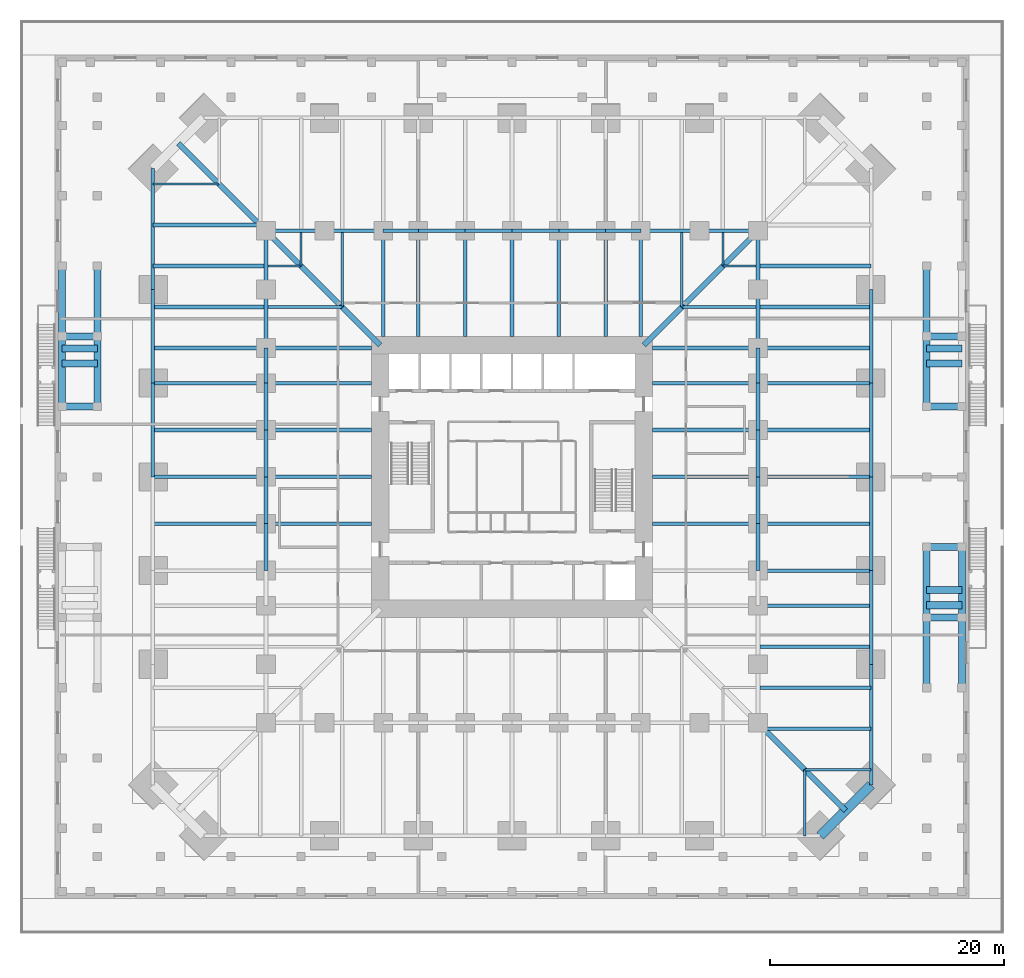
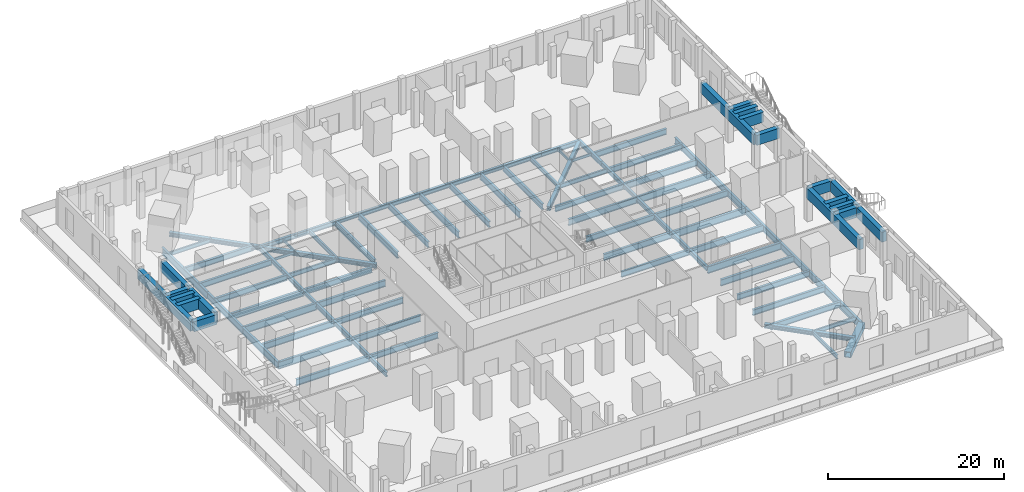
# One storey, part 9 of 22: 102 beams.
"""IFC4 building model written with IfcOpenShell, lengths in metres."""

from ifc_helpers import new_model, si_unit, direction, frame, origin, origin_2d, place, context, subcontext, project, spatial, rectangle, hollow_rectangle, i_section, extrude, material, material_profile, profile_set, type_object, element, save


model = new_model("IFC4")

# Units and contexts
model_context = context("Model", 3, precision=1e-05, world=origin(), true_north=direction((0.0, 1.0)))
body_context = subcontext(model_context, "Body", "Model", "MODEL_VIEW")
ifc_project = project(units=[si_unit("LENGTHUNIT", "METRE"), si_unit("AREAUNIT", "SQUARE_METRE"), si_unit("VOLUMEUNIT", "CUBIC_METRE"), si_unit("PLANEANGLEUNIT", "RADIAN"), si_unit("MASSUNIT", "GRAM", prefix="KILO")], contexts=[model_context])

# Site, building, storey
site_placement = place(None, origin())
site = spatial("IfcSite", under=ifc_project, at=site_placement, CompositionType="ELEMENT")
building_placement = place(site_placement, origin())
building = spatial("IfcBuilding", under=site, at=building_placement, Name="Peilmerk Tower", CompositionType="ELEMENT")
storey_placement = place(building_placement, frame((0.0, 0.0, 6.0)))
storey = spatial("IfcBuildingStorey", under=building, at=storey_placement, Name="L01", CompositionType="ELEMENT", Elevation=6.0)

# Beams
ifc_material_1 = material(Name="Steel S355", Category="steel")
ifc_material_profile_1 = material_profile(ifc_material_1, i_section(OverallWidth=0.219970703125, OverallDepth=0.60009765625, WebThickness=0.011962890625, FlangeThickness=0.01904296875, at=origin_2d()), Name="IPE 600")
ifc_profile_set_1 = profile_set([ifc_material_profile_1], Name="Steel S355")
beam_type_1 = type_object("IfcBeamType", Name="B10 IPE 600 floor beam", PredefinedType="BEAM", material=ifc_profile_set_1)
for number, where, z_axis, x_axis, name in (
    (1, (14.5, 14.5, -0.5), (0.0, 1.0, 0.0), (-1.0, 0.0, 0.0), "Floor beam L01"),
    (2, (14.5, 14.5, -0.5), (1.0, 0.0, 0.0), (0.0, 1.0, 0.0), "Floor beam L01"),
    (3, (-14.5, 14.5, -0.5), (0.0, 1.0, 0.0), (-1.0, 0.0, 0.0), "Floor beam L01"),
    (4, (-14.5, 14.5, -0.5), (-1.0, 0.0, 0.0), (0.0, -1.0, 0.0), "Floor beam L01"),
):
    element("IfcBeam", number, at=place(storey_placement, frame(where, z_axis=z_axis, x_axis=x_axis)), inside=storey, type_object=beam_type_1, Name=name, PredefinedType="BEAM", context=body_context, shape_type="SweptSolid", body=[
        extrude(i_section(OverallWidth=0.219970703125, OverallDepth=0.60009765625, WebThickness=0.011962890625, FlangeThickness=0.01904296875, at=origin_2d()), origin(), (0.0, 0.0, 1.0), 6.347412109375),
    ])
ifc_material_profile_2 = material_profile(ifc_material_1, i_section(OverallWidth=0.169921875, OverallDepth=0.360107421875, WebThickness=0.008056640625, FlangeThickness=0.0126953125, at=origin_2d()), Name="IPE 360")
ifc_profile_set_2 = profile_set([ifc_material_profile_2], Name="Steel S355")
beam_type_2 = type_object("IfcBeamType", Name="B11 IPE 360 floor beam", PredefinedType="BEAM", material=ifc_profile_set_2)
for number, where, z_axis, x_axis, name in (
    (5, (18.0, 18.0, -0.3798828125), (0.0, 1.0, 0.0), (-1.0, 0.0, 0.0), "Floor beam L01"),
    (6, (18.0, 18.0, -0.3798828125), (1.0, 0.0, 0.0), (0.0, 1.0, 0.0), "Floor beam L01"),
    (7, (-18.0, 18.0, -0.3798828125), (0.0, 1.0, 0.0), (-1.0, 0.0, 0.0), "Floor beam L01"),
    (8, (-18.0, 18.0, -0.3798828125), (-1.0, 0.0, 0.0), (0.0, -1.0, 0.0), "Floor beam L01"),
):
    element("IfcBeam", number, at=place(storey_placement, frame(where, z_axis=z_axis, x_axis=x_axis)), inside=storey, type_object=beam_type_2, Name=name, PredefinedType="BEAM", context=body_context, shape_type="SweptSolid", body=[
        extrude(i_section(OverallWidth=0.169921875, OverallDepth=0.360107421875, WebThickness=0.008056640625, FlangeThickness=0.0126953125, at=origin_2d()), origin(), (0.0, 0.0, 1.0), 2.847412109375),
    ])
ifc_material_profile_3 = material_profile(ifc_material_1, i_section(OverallWidth=0.2099609375, OverallDepth=0.550048828125, WebThickness=0.010986328125, FlangeThickness=0.01708984375, at=origin_2d()), Name="IPE 550")
ifc_profile_set_3 = profile_set([ifc_material_profile_3], Name="Steel S355")
beam_type_3 = type_object("IfcBeamType", Name="B12 IPE 550 floor beam", PredefinedType="BEAM", material=ifc_profile_set_3)
for number, where, z_axis, x_axis, name in (
    (9, (25.0, -25.0, -0.47509765625), (0.0, -1.0, 0.0), (1.0, 0.0, 0.0), "Floor beam L01"),
    (10, (25.0, -25.0, -0.47509765625), (1.0, 0.0, 0.0), (0.0, 1.0, 0.0), "Floor beam L01"),
    (11, (-25.0, 25.0, -0.47509765625), (-1.0, 0.0, 0.0), (0.0, -1.0, 0.0), "Floor beam L01"),
):
    element("IfcBeam", number, at=place(storey_placement, frame(where, z_axis=z_axis, x_axis=x_axis)), inside=storey, type_object=beam_type_3, Name=name, PredefinedType="BEAM", context=body_context, shape_type="SweptSolid", body=[
        extrude(i_section(OverallWidth=0.2099609375, OverallDepth=0.550048828125, WebThickness=0.010986328125, FlangeThickness=0.01708984375, at=origin_2d()), origin(), (0.0, 0.0, 1.0), 5.65478515625),
    ])
ifc_material_profile_4 = material_profile(ifc_material_1, i_section(OverallWidth=0.300048828125, OverallDepth=1.0, WebThickness=0.01904296875, FlangeThickness=0.035888671875, at=origin_2d()), Name="HEB 1000")
ifc_profile_set_4 = profile_set([ifc_material_profile_4], Name="Steel S355")
beam_type_4 = type_object("IfcBeamType", Name="B13 HEB 1000 edge beam", PredefinedType="SPANDREL", material=ifc_profile_set_4)
for number, where, z_axis, x_axis, name in (
    (12, (30.65478515625, -26.304931640625, -0.699951171875), (0.0, 1.0, 0.0), (-1.0, 0.0, 0.0), "Edge beam L01"),
    (13, (-30.65478515625, 26.304931640625, -0.699951171875), (0.0, -1.0, 0.0), (1.0, 0.0, 0.0), "Edge beam L01"),
):
    element("IfcBeam", number, at=place(storey_placement, frame(where, z_axis=z_axis, x_axis=x_axis)), inside=storey, type_object=beam_type_4, Name=name, PredefinedType="SPANDREL", context=body_context, shape_type="SweptSolid", body=[
        extrude(i_section(OverallWidth=0.300048828125, OverallDepth=1.0, WebThickness=0.01904296875, FlangeThickness=0.035888671875, at=origin_2d()), origin(), (0.0, 0.0, 1.0), 10.304931640625),
    ])
ifc_material_profile_5 = material_profile(ifc_material_1, i_section(OverallWidth=0.300048828125, OverallDepth=0.989990234375, WebThickness=0.0166015625, FlangeThickness=0.031005859375, at=origin_2d()), Name="HEA 1000")
ifc_profile_set_5 = profile_set([ifc_material_profile_5], Name="Steel S355")
beam_type_5 = type_object("IfcBeamType", Name="B14 HEA 1000 floor girder", PredefinedType="BEAM", material=ifc_profile_set_5)
for number, where, z_axis, x_axis, name in (
    (14, (21.0, -8.0, -0.695068359375), (1.0, 0.0, 0.0), (0.0, 1.0, 0.0), "Floor girder L01"),
    (15, (21.0, 0.0, -0.695068359375), (1.0, 0.0, 0.0), (0.0, 1.0, 0.0), "Floor girder L01"),
    (16, (21.0, 8.0, -0.695068359375), (1.0, 0.0, 0.0), (0.0, 1.0, 0.0), "Floor girder L01"),
    (17, (-21.0, 8.0, -0.695068359375), (-1.0, 0.0, 0.0), (0.0, -1.0, 0.0), "Floor girder L01"),
    (18, (-21.0, 0.0, -0.695068359375), (-1.0, 0.0, 0.0), (0.0, -1.0, 0.0), "Floor girder L01"),
):
    element("IfcBeam", number, at=place(storey_placement, frame(where, z_axis=z_axis, x_axis=x_axis)), inside=storey, type_object=beam_type_5, Name=name, PredefinedType="BEAM", context=body_context, shape_type="SweptSolid", body=[
        extrude(i_section(OverallWidth=0.300048828125, OverallDepth=0.989990234375, WebThickness=0.0166015625, FlangeThickness=0.031005859375, at=origin_2d()), origin(), (0.0, 0.0, 1.0), 9.65478515625),
    ])
ifc_material_profile_6 = material_profile(ifc_material_1, i_section(OverallWidth=0.302001953125, OverallDepth=0.909912109375, WebThickness=0.02099609375, FlangeThickness=0.0400390625, at=origin_2d()), Name="HEM 900")
ifc_profile_set_6 = profile_set([ifc_material_profile_6], Name="Steel S355")
beam_type_6 = type_object("IfcBeamType", Name="B2 HEM 900 edge beam", PredefinedType="SPANDREL", material=ifc_profile_set_6)
for number, where, z_axis, x_axis, name in (
    (19, (30.65478515625, -16.0, -0.655029296875), (0.0, 1.0, 0.0), (-1.0, 0.0, 0.0), "Edge beam L01"),
    (20, (30.65478515625, -8.0, -0.655029296875), (0.0, 1.0, 0.0), (-1.0, 0.0, 0.0), "Edge beam L01"),
    (21, (30.65478515625, 0.0, -0.655029296875), (0.0, 1.0, 0.0), (-1.0, 0.0, 0.0), "Edge beam L01"),
    (22, (30.65478515625, 8.0, -0.655029296875), (0.0, 1.0, 0.0), (-1.0, 0.0, 0.0), "Edge beam L01"),
    (23, (-30.65478515625, 16.0, -0.655029296875), (0.0, -1.0, 0.0), (1.0, 0.0, 0.0), "Edge beam L01"),
    (24, (-30.65478515625, 8.0, -0.655029296875), (0.0, -1.0, 0.0), (1.0, 0.0, 0.0), "Edge beam L01"),
):
    element("IfcBeam", number, at=place(storey_placement, frame(where, z_axis=z_axis, x_axis=x_axis)), inside=storey, type_object=beam_type_6, Name=name, PredefinedType="SPANDREL", context=body_context, shape_type="SweptSolid", body=[
        extrude(i_section(OverallWidth=0.302001953125, OverallDepth=0.909912109375, WebThickness=0.02099609375, FlangeThickness=0.0400390625, at=origin_2d()), origin(), (0.0, 0.0, 1.0), 8.0),
    ])
ifc_material_profile_7 = material_profile(ifc_material_1, i_section(OverallWidth=0.300048828125, OverallDepth=0.7900390625, WebThickness=0.014892578125, FlangeThickness=0.028076171875, at=origin_2d()), Name="HEA 800")
ifc_profile_set_7 = profile_set([ifc_material_profile_7], Name="Steel S355")
beam_type_7 = type_object("IfcBeamType", Name="B3 HEA 800 floor beam", PredefinedType="BEAM", material=ifc_profile_set_7)
for number, where, z_axis, x_axis, name in (
    (25, (11.0, 12.0, -0.594970703125), (0.0, 1.0, 0.0), (-1.0, 0.0, 0.0), "Floor beam L01"),
    (26, (4.0, 12.0, -0.594970703125), (0.0, 1.0, 0.0), (-1.0, 0.0, 0.0), "Floor beam L01"),
    (27, (-4.0, 12.0, -0.594970703125), (0.0, 1.0, 0.0), (-1.0, 0.0, 0.0), "Floor beam L01"),
    (28, (-11.0, 12.0, -0.594970703125), (0.0, 1.0, 0.0), (-1.0, 0.0, 0.0), "Floor beam L01"),
    (29, (12.0, -4.0, -0.594970703125), (1.0, 0.0, 0.0), (0.0, 1.0, 0.0), "Floor beam L01"),
    (30, (12.0, 4.0, -0.594970703125), (1.0, 0.0, 0.0), (0.0, 1.0, 0.0), "Floor beam L01"),
    (31, (12.0, 11.0, -0.594970703125), (1.0, 0.0, 0.0), (0.0, 1.0, 0.0), "Floor beam L01"),
    (32, (-12.0, 11.0, -0.594970703125), (-1.0, 0.0, 0.0), (0.0, -1.0, 0.0), "Floor beam L01"),
    (33, (-12.0, 4.0, -0.594970703125), (-1.0, 0.0, 0.0), (0.0, -1.0, 0.0), "Floor beam L01"),
    (34, (-12.0, -4.0, -0.594970703125), (-1.0, 0.0, 0.0), (0.0, -1.0, 0.0), "Floor beam L01"),
):
    element("IfcBeam", number, at=place(storey_placement, frame(where, z_axis=z_axis, x_axis=x_axis)), inside=storey, type_object=beam_type_7, Name=name, PredefinedType="BEAM", context=body_context, shape_type="SweptSolid", body=[
        extrude(i_section(OverallWidth=0.300048828125, OverallDepth=0.7900390625, WebThickness=0.014892578125, FlangeThickness=0.028076171875, at=origin_2d()), origin(), (0.0, 0.0, 1.0), 9.0),
    ])
for number, where, z_axis, x_axis, name in (
    (35, (21.152587890625, 14.5, -0.594970703125), (1.0, 0.0, 0.0), (0.0, 1.0, 0.0), "Floor beam L01"),
    (36, (21.152587890625, 18.0, -0.594970703125), (1.0, 0.0, 0.0), (0.0, 1.0, 0.0), "Floor beam L01"),
    (37, (21.152587890625, -14.5, -0.594970703125), (1.0, 0.0, 0.0), (0.0, 1.0, 0.0), "Floor beam L01"),
    (38, (21.152587890625, -18.0, -0.594970703125), (1.0, 0.0, 0.0), (0.0, 1.0, 0.0), "Floor beam L01"),
):
    element("IfcBeam", number, at=place(storey_placement, frame(where, z_axis=z_axis, x_axis=x_axis)), inside=storey, type_object=beam_type_7, Name=name, PredefinedType="BEAM", context=body_context, shape_type="SweptSolid", body=[
        extrude(i_section(OverallWidth=0.300048828125, OverallDepth=0.7900390625, WebThickness=0.014892578125, FlangeThickness=0.028076171875, at=origin_2d()), origin(), (0.0, 0.0, 1.0), 9.502197265625),
    ])
beam_1_placement = place(storey_placement, frame((21.5, -21.5, -0.594970703125), z_axis=(1.0, 0.0, 0.0), x_axis=(0.0, 1.0, 0.0)))
element("IfcBeam", 39, at=beam_1_placement, inside=storey, type_object=beam_type_7, Name="Floor beam L01", PredefinedType="BEAM", context=body_context, shape_type="SweptSolid", body=[
    extrude(i_section(OverallWidth=0.300048828125, OverallDepth=0.7900390625, WebThickness=0.014892578125, FlangeThickness=0.028076171875, at=origin_2d()), origin(), (0.0, 0.0, 1.0), 9.15478515625),
])
for number, where, z_axis, x_axis, name in (
    (40, (-21.152587890625, 14.5, -0.594970703125), (-1.0, 0.0, 0.0), (0.0, -1.0, 0.0), "Floor beam L01"),
    (41, (-21.152587890625, 18.0, -0.594970703125), (-1.0, 0.0, 0.0), (0.0, -1.0, 0.0), "Floor beam L01"),
):
    element("IfcBeam", number, at=place(storey_placement, frame(where, z_axis=z_axis, x_axis=x_axis)), inside=storey, type_object=beam_type_7, Name=name, PredefinedType="BEAM", context=body_context, shape_type="SweptSolid", body=[
        extrude(i_section(OverallWidth=0.300048828125, OverallDepth=0.7900390625, WebThickness=0.014892578125, FlangeThickness=0.028076171875, at=origin_2d()), origin(), (0.0, 0.0, 1.0), 9.502197265625),
    ])
beam_2_placement = place(storey_placement, frame((-21.5, 21.5, -0.594970703125), z_axis=(-1.0, 0.0, 0.0), x_axis=(0.0, -1.0, 0.0)))
element("IfcBeam", 42, at=beam_2_placement, inside=storey, type_object=beam_type_7, Name="Floor beam L01", PredefinedType="BEAM", context=body_context, shape_type="SweptSolid", body=[
    extrude(i_section(OverallWidth=0.300048828125, OverallDepth=0.7900390625, WebThickness=0.014892578125, FlangeThickness=0.028076171875, at=origin_2d()), origin(), (0.0, 0.0, 1.0), 9.15478515625),
])
ifc_material_profile_8 = material_profile(ifc_material_1, i_section(OverallWidth=0.300048828125, OverallDepth=0.889892578125, WebThickness=0.01611328125, FlangeThickness=0.030029296875, at=origin_2d()), Name="HEA 900")
ifc_profile_set_8 = profile_set([ifc_material_profile_8], Name="Steel S355")
beam_type_8 = type_object("IfcBeamType", Name="B4 HEA 900 floor beam", PredefinedType="BEAM", material=ifc_profile_set_8)
for number, where, z_axis, x_axis, name in (
    (43, (8.0, 12.0, -0.64501953125), (0.0, 1.0, 0.0), (-1.0, 0.0, 0.0), "Floor girder L01"),
    (44, (0.0, 12.0, -0.64501953125), (0.0, 1.0, 0.0), (-1.0, 0.0, 0.0), "Floor girder L01"),
    (45, (-8.0, 12.0, -0.64501953125), (0.0, 1.0, 0.0), (-1.0, 0.0, 0.0), "Floor girder L01"),
):
    element("IfcBeam", number, at=place(storey_placement, frame(where, z_axis=z_axis, x_axis=x_axis)), inside=storey, type_object=beam_type_8, Name=name, PredefinedType="BEAM", context=body_context, shape_type="SweptSolid", body=[
        extrude(i_section(OverallWidth=0.300048828125, OverallDepth=0.889892578125, WebThickness=0.01611328125, FlangeThickness=0.030029296875, at=origin_2d()), origin(), (0.0, 0.0, 1.0), 9.0),
    ])
for number, where, z_axis, x_axis, name in (
    (46, (21.0, -11.0, -0.64501953125), (1.0, 0.0, 0.0), (0.0, 1.0, 0.0), "Floor beam L01"),
    (47, (21.0, -4.0, -0.64501953125), (1.0, 0.0, 0.0), (0.0, 1.0, 0.0), "Floor beam L01"),
):
    element("IfcBeam", number, at=place(storey_placement, frame(where, z_axis=z_axis, x_axis=x_axis)), inside=storey, type_object=beam_type_8, Name=name, PredefinedType="BEAM", context=body_context, shape_type="SweptSolid", body=[
        extrude(i_section(OverallWidth=0.300048828125, OverallDepth=0.889892578125, WebThickness=0.01611328125, FlangeThickness=0.030029296875, at=origin_2d()), origin(), (0.0, 0.0, 1.0), 9.65478515625),
    ])
beam_3_placement = place(storey_placement, frame((12.0, 0.0, -0.64501953125), z_axis=(1.0, 0.0, 0.0), x_axis=(0.0, 1.0, 0.0)))
element("IfcBeam", 48, at=beam_3_placement, inside=storey, type_object=beam_type_8, Name="Floor girder L01", PredefinedType="BEAM", context=body_context, shape_type="SweptSolid", body=[
    extrude(i_section(OverallWidth=0.300048828125, OverallDepth=0.889892578125, WebThickness=0.01611328125, FlangeThickness=0.030029296875, at=origin_2d()), origin(), (0.0, 0.0, 1.0), 9.0),
])
beam_4_placement = place(storey_placement, frame((21.0, 4.0, -0.64501953125), z_axis=(1.0, 0.0, 0.0), x_axis=(0.0, 1.0, 0.0)))
element("IfcBeam", 49, at=beam_4_placement, inside=storey, type_object=beam_type_8, Name="Floor beam L01", PredefinedType="BEAM", context=body_context, shape_type="SweptSolid", body=[
    extrude(i_section(OverallWidth=0.300048828125, OverallDepth=0.889892578125, WebThickness=0.01611328125, FlangeThickness=0.030029296875, at=origin_2d()), origin(), (0.0, 0.0, 1.0), 9.65478515625),
])
beam_5_placement = place(storey_placement, frame((12.0, 8.0, -0.64501953125), z_axis=(1.0, 0.0, 0.0), x_axis=(0.0, 1.0, 0.0)))
element("IfcBeam", 50, at=beam_5_placement, inside=storey, type_object=beam_type_8, Name="Floor girder L01", PredefinedType="BEAM", context=body_context, shape_type="SweptSolid", body=[
    extrude(i_section(OverallWidth=0.300048828125, OverallDepth=0.889892578125, WebThickness=0.01611328125, FlangeThickness=0.030029296875, at=origin_2d()), origin(), (0.0, 0.0, 1.0), 9.0),
])
for number, where, z_axis, x_axis, name in (
    (51, (21.0, 11.0, -0.64501953125), (1.0, 0.0, 0.0), (0.0, 1.0, 0.0), "Floor beam L01"),
    (52, (-21.0, 11.0, -0.64501953125), (-1.0, 0.0, 0.0), (0.0, -1.0, 0.0), "Floor beam L01"),
):
    element("IfcBeam", number, at=place(storey_placement, frame(where, z_axis=z_axis, x_axis=x_axis)), inside=storey, type_object=beam_type_8, Name=name, PredefinedType="BEAM", context=body_context, shape_type="SweptSolid", body=[
        extrude(i_section(OverallWidth=0.300048828125, OverallDepth=0.889892578125, WebThickness=0.01611328125, FlangeThickness=0.030029296875, at=origin_2d()), origin(), (0.0, 0.0, 1.0), 9.65478515625),
    ])
beam_6_placement = place(storey_placement, frame((-12.0, 8.0, -0.64501953125), z_axis=(-1.0, 0.0, 0.0), x_axis=(0.0, -1.0, 0.0)))
element("IfcBeam", 53, at=beam_6_placement, inside=storey, type_object=beam_type_8, Name="Floor girder L01", PredefinedType="BEAM", context=body_context, shape_type="SweptSolid", body=[
    extrude(i_section(OverallWidth=0.300048828125, OverallDepth=0.889892578125, WebThickness=0.01611328125, FlangeThickness=0.030029296875, at=origin_2d()), origin(), (0.0, 0.0, 1.0), 9.0),
])
beam_7_placement = place(storey_placement, frame((-21.0, 4.0, -0.64501953125), z_axis=(-1.0, 0.0, 0.0), x_axis=(0.0, -1.0, 0.0)))
element("IfcBeam", 54, at=beam_7_placement, inside=storey, type_object=beam_type_8, Name="Floor beam L01", PredefinedType="BEAM", context=body_context, shape_type="SweptSolid", body=[
    extrude(i_section(OverallWidth=0.300048828125, OverallDepth=0.889892578125, WebThickness=0.01611328125, FlangeThickness=0.030029296875, at=origin_2d()), origin(), (0.0, 0.0, 1.0), 9.65478515625),
])
beam_8_placement = place(storey_placement, frame((-12.0, 0.0, -0.64501953125), z_axis=(-1.0, 0.0, 0.0), x_axis=(0.0, -1.0, 0.0)))
element("IfcBeam", 55, at=beam_8_placement, inside=storey, type_object=beam_type_8, Name="Floor girder L01", PredefinedType="BEAM", context=body_context, shape_type="SweptSolid", body=[
    extrude(i_section(OverallWidth=0.300048828125, OverallDepth=0.889892578125, WebThickness=0.01611328125, FlangeThickness=0.030029296875, at=origin_2d()), origin(), (0.0, 0.0, 1.0), 9.0),
])
beam_9_placement = place(storey_placement, frame((-21.0, -4.0, -0.64501953125), z_axis=(-1.0, 0.0, 0.0), x_axis=(0.0, -1.0, 0.0)))
element("IfcBeam", 56, at=beam_9_placement, inside=storey, type_object=beam_type_8, Name="Floor beam L01", PredefinedType="BEAM", context=body_context, shape_type="SweptSolid", body=[
    extrude(i_section(OverallWidth=0.300048828125, OverallDepth=0.889892578125, WebThickness=0.01611328125, FlangeThickness=0.030029296875, at=origin_2d()), origin(), (0.0, 0.0, 1.0), 9.65478515625),
])
ifc_material_profile_9 = material_profile(ifc_material_1, i_section(OverallWidth=0.304931640625, OverallDepth=0.6201171875, WebThickness=0.02099609375, FlangeThickness=0.0400390625, at=origin_2d()), Name="HEM 600")
ifc_profile_set_9 = profile_set([ifc_material_profile_9], Name="Steel S355")
beam_type_9 = type_object("IfcBeamType", Name="B6 HEM 600 ring girder", PredefinedType="BEAM", material=ifc_profile_set_9)
for number, where, z_axis, x_axis, name in (
    (57, (21.0, 21.0, -0.510009765625), (-1.0, 0.0, 0.0), (0.0, -1.0, 0.0), "Ring girder L01"),
    (58, (16.0, 21.0, -0.510009765625), (-1.0, 0.0, 0.0), (0.0, -1.0, 0.0), "Ring girder L01"),
):
    element("IfcBeam", number, at=place(storey_placement, frame(where, z_axis=z_axis, x_axis=x_axis)), inside=storey, type_object=beam_type_9, Name=name, PredefinedType="BEAM", context=body_context, shape_type="SweptSolid", body=[
        extrude(i_section(OverallWidth=0.304931640625, OverallDepth=0.6201171875, WebThickness=0.02099609375, FlangeThickness=0.0400390625, at=origin_2d()), origin(), (0.0, 0.0, 1.0), 5.0),
    ])
for number, where, z_axis, x_axis, name in (
    (59, (8.0, 21.0, -0.510009765625), (-1.0, 0.0, 0.0), (0.0, -1.0, 0.0), "Ring girder L01"),
    (60, (4.0, 21.0, -0.510009765625), (-1.0, 0.0, 0.0), (0.0, -1.0, 0.0), "Ring girder L01"),
    (61, (0.0, 21.0, -0.510009765625), (-1.0, 0.0, 0.0), (0.0, -1.0, 0.0), "Ring girder L01"),
    (62, (-4.0, 21.0, -0.510009765625), (-1.0, 0.0, 0.0), (0.0, -1.0, 0.0), "Ring girder L01"),
):
    element("IfcBeam", number, at=place(storey_placement, frame(where, z_axis=z_axis, x_axis=x_axis)), inside=storey, type_object=beam_type_9, Name=name, PredefinedType="BEAM", context=body_context, shape_type="SweptSolid", body=[
        extrude(i_section(OverallWidth=0.304931640625, OverallDepth=0.6201171875, WebThickness=0.02099609375, FlangeThickness=0.0400390625, at=origin_2d()), origin(), (0.0, 0.0, 1.0), 4.0),
    ])
for number, where, z_axis, x_axis, name in (
    (63, (-11.0, 21.0, -0.510009765625), (-1.0, 0.0, 0.0), (0.0, -1.0, 0.0), "Ring girder L01"),
    (64, (-16.0, 21.0, -0.510009765625), (-1.0, 0.0, 0.0), (0.0, -1.0, 0.0), "Ring girder L01"),
):
    element("IfcBeam", number, at=place(storey_placement, frame(where, z_axis=z_axis, x_axis=x_axis)), inside=storey, type_object=beam_type_9, Name=name, PredefinedType="BEAM", context=body_context, shape_type="SweptSolid", body=[
        extrude(i_section(OverallWidth=0.304931640625, OverallDepth=0.6201171875, WebThickness=0.02099609375, FlangeThickness=0.0400390625, at=origin_2d()), origin(), (0.0, 0.0, 1.0), 5.0),
    ])
for number, where, z_axis, x_axis, name in (
    (65, (21.0, -8.0, -0.510009765625), (0.0, 1.0, 0.0), (-1.0, 0.0, 0.0), "Ring girder L01"),
    (66, (21.0, -4.0, -0.510009765625), (0.0, 1.0, 0.0), (-1.0, 0.0, 0.0), "Ring girder L01"),
    (67, (21.0, 0.0, -0.510009765625), (0.0, 1.0, 0.0), (-1.0, 0.0, 0.0), "Ring girder L01"),
    (68, (21.0, 4.0, -0.510009765625), (0.0, 1.0, 0.0), (-1.0, 0.0, 0.0), "Ring girder L01"),
):
    element("IfcBeam", number, at=place(storey_placement, frame(where, z_axis=z_axis, x_axis=x_axis)), inside=storey, type_object=beam_type_9, Name=name, PredefinedType="BEAM", context=body_context, shape_type="SweptSolid", body=[
        extrude(i_section(OverallWidth=0.304931640625, OverallDepth=0.6201171875, WebThickness=0.02099609375, FlangeThickness=0.0400390625, at=origin_2d()), origin(), (0.0, 0.0, 1.0), 4.0),
    ])
for number, where, z_axis, x_axis, name in (
    (69, (21.0, 11.0, -0.510009765625), (0.0, 1.0, 0.0), (-1.0, 0.0, 0.0), "Ring girder L01"),
    (70, (21.0, 16.0, -0.510009765625), (0.0, 1.0, 0.0), (-1.0, 0.0, 0.0), "Ring girder L01"),
    (71, (-21.0, 21.0, -0.510009765625), (0.0, -1.0, 0.0), (1.0, 0.0, 0.0), "Ring girder L01"),
    (72, (-21.0, 16.0, -0.510009765625), (0.0, -1.0, 0.0), (1.0, 0.0, 0.0), "Ring girder L01"),
):
    element("IfcBeam", number, at=place(storey_placement, frame(where, z_axis=z_axis, x_axis=x_axis)), inside=storey, type_object=beam_type_9, Name=name, PredefinedType="BEAM", context=body_context, shape_type="SweptSolid", body=[
        extrude(i_section(OverallWidth=0.304931640625, OverallDepth=0.6201171875, WebThickness=0.02099609375, FlangeThickness=0.0400390625, at=origin_2d()), origin(), (0.0, 0.0, 1.0), 5.0),
    ])
for number, where, z_axis, x_axis, name in (
    (73, (-21.0, 8.0, -0.510009765625), (0.0, -1.0, 0.0), (1.0, 0.0, 0.0), "Ring girder L01"),
    (74, (-21.0, 4.0, -0.510009765625), (0.0, -1.0, 0.0), (1.0, 0.0, 0.0), "Ring girder L01"),
    (75, (-21.0, 0.0, -0.510009765625), (0.0, -1.0, 0.0), (1.0, 0.0, 0.0), "Ring girder L01"),
    (76, (-21.0, -4.0, -0.510009765625), (0.0, -1.0, 0.0), (1.0, 0.0, 0.0), "Ring girder L01"),
):
    element("IfcBeam", number, at=place(storey_placement, frame(where, z_axis=z_axis, x_axis=x_axis)), inside=storey, type_object=beam_type_9, Name=name, PredefinedType="BEAM", context=body_context, shape_type="SweptSolid", body=[
        extrude(i_section(OverallWidth=0.304931640625, OverallDepth=0.6201171875, WebThickness=0.02099609375, FlangeThickness=0.0400390625, at=origin_2d()), origin(), (0.0, 0.0, 1.0), 4.0),
    ])
ifc_material_profile_10 = material_profile(ifc_material_1, i_section(OverallWidth=0.305908203125, OverallDepth=0.52392578125, WebThickness=0.02099609375, FlangeThickness=0.0400390625, at=origin_2d()), Name="HEM 500")
ifc_profile_set_10 = profile_set([ifc_material_profile_10], Name="Steel S355")
beam_type_10 = type_object("IfcBeamType", Name="B7 HEM 500 ring girder", PredefinedType="BEAM", material=ifc_profile_set_10)
for number, where, z_axis, x_axis, name in (
    (77, (11.0, 21.0, -0.4619140625), (-1.0, 0.0, 0.0), (0.0, -1.0, 0.0), "Ring girder L01"),
    (78, (-8.0, 21.0, -0.4619140625), (-1.0, 0.0, 0.0), (0.0, -1.0, 0.0), "Ring girder L01"),
    (79, (21.0, 8.0, -0.4619140625), (0.0, 1.0, 0.0), (-1.0, 0.0, 0.0), "Ring girder L01"),
    (80, (-21.0, 11.0, -0.4619140625), (0.0, -1.0, 0.0), (1.0, 0.0, 0.0), "Ring girder L01"),
):
    element("IfcBeam", number, at=place(storey_placement, frame(where, z_axis=z_axis, x_axis=x_axis)), inside=storey, type_object=beam_type_10, Name=name, PredefinedType="BEAM", context=body_context, shape_type="SweptSolid", body=[
        extrude(i_section(OverallWidth=0.305908203125, OverallDepth=0.52392578125, WebThickness=0.02099609375, FlangeThickness=0.0400390625, at=origin_2d()), origin(), (0.0, 0.0, 1.0), 3.0),
    ])
ifc_material_2 = material(Name="Steel S460", Category="steel")
ifc_material_profile_11 = material_profile(ifc_material_2, hollow_rectangle(XDim=0.800048828125, YDim=0.800048828125, WallThickness=0.080078125, at=origin_2d()), Name="BOX 800x800x80")
ifc_profile_set_11 = profile_set([ifc_material_profile_11], Name="Steel S460")
beam_type_11 = type_object("IfcBeamType", Name="B8 BOX 800x800x80 notch beam", PredefinedType="SPANDREL", material=ifc_profile_set_11)
beam_10_placement = place(storey_placement, frame((30.65478515625, -26.304931640625, -0.60009765625), z_axis=(-0.707106781187, -0.707106781187, 0.0), x_axis=(0.707106781187, -0.707106781187, 0.0)))
element("IfcBeam", 81, at=beam_10_placement, inside=storey, type_object=beam_type_11, Name="Notch beam L01", PredefinedType="SPANDREL", context=body_context, shape_type="SweptSolid", body=[
    extrude(hollow_rectangle(XDim=0.800048828125, YDim=0.800048828125, WallThickness=0.080078125, at=origin_2d()), origin(), (0.0, 0.0, 1.0), 6.151611328125),
])
ifc_material_profile_12 = material_profile(ifc_material_2, i_section(OverallWidth=0.4541015625, OverallDepth=0.569091796875, WebThickness=0.077880859375, FlangeThickness=0.125, at=origin_2d()), Name="HD 400x1086")
ifc_profile_set_12 = profile_set([ifc_material_profile_12], Name="Steel S460")
beam_type_12 = type_object("IfcBeamType", Name="B9 HD 400x1086 corner girder", PredefinedType="BEAM", material=ifc_profile_set_12)
beam_11_placement = place(storey_placement, frame((11.25, 11.25, -0.484619140625), z_axis=(0.707106781187, 0.707106781187, 0.0), x_axis=(-0.707106781187, 0.707106781187, 0.0)))
element("IfcBeam", 82, at=beam_11_placement, inside=storey, type_object=beam_type_12, Name="Corner girder L01", PredefinedType="BEAM", context=body_context, shape_type="SweptSolid", body=[
    extrude(i_section(OverallWidth=0.4541015625, OverallDepth=0.569091796875, WebThickness=0.077880859375, FlangeThickness=0.125, at=origin_2d()), origin(), (0.0, 0.0, 1.0), 13.78857421875),
])
beam_12_placement = place(storey_placement, frame((21.0, -21.0, -0.484619140625), z_axis=(0.707106781187, -0.707106781187, 0.0), x_axis=(0.707106781187, 0.707106781187, 0.0)))
element("IfcBeam", 83, at=beam_12_placement, inside=storey, type_object=beam_type_12, Name="Corner girder L01", PredefinedType="BEAM", context=body_context, shape_type="SweptSolid", body=[
    extrude(i_section(OverallWidth=0.4541015625, OverallDepth=0.569091796875, WebThickness=0.077880859375, FlangeThickness=0.125, at=origin_2d()), origin(), (0.0, 0.0, 1.0), 10.577880859375),
])
beam_13_placement = place(storey_placement, frame((-11.25, 11.25, -0.484619140625), z_axis=(-0.707106781187, 0.707106781187, 0.0), x_axis=(-0.707106781187, -0.707106781187, 0.0)))
element("IfcBeam", 84, at=beam_13_placement, inside=storey, type_object=beam_type_12, Name="Corner girder L01", PredefinedType="BEAM", context=body_context, shape_type="SweptSolid", body=[
    extrude(i_section(OverallWidth=0.4541015625, OverallDepth=0.569091796875, WebThickness=0.077880859375, FlangeThickness=0.125, at=origin_2d()), origin(), (0.0, 0.0, 1.0), 13.78857421875),
])
beam_14_placement = place(storey_placement, frame((-21.0, 21.0, -0.484619140625), z_axis=(-0.707106781187, 0.707106781187, 0.0), x_axis=(-0.707106781187, -0.707106781187, 0.0)))
element("IfcBeam", 85, at=beam_14_placement, inside=storey, type_object=beam_type_12, Name="Corner girder L01", PredefinedType="BEAM", context=body_context, shape_type="SweptSolid", body=[
    extrude(i_section(OverallWidth=0.4541015625, OverallDepth=0.569091796875, WebThickness=0.077880859375, FlangeThickness=0.125, at=origin_2d()), origin(), (0.0, 0.0, 1.0), 10.577880859375),
])
ifc_material_3 = material(Name="Concrete C35/45", Category="concrete")
ifc_material_profile_13 = material_profile(ifc_material_3, rectangle(XDim=0.60009765625, YDim=1.39990234375, at=origin_2d()), Name="RC 600x1400")
ifc_profile_set_13 = profile_set([ifc_material_profile_13], Name="Concrete C35/45")
beam_type_13 = type_object("IfcBeamType", Name="TB1 600x1400 stair transfer beam", PredefinedType="BEAM", material=ifc_profile_set_13)
for number, where, z_axis, x_axis, name in (
    (86, (35.39990234375, 6.0, 3.85009765625), (1.0, 0.0, 0.0), (0.0, 1.0, 0.0), "External stair 3 transfer beam"),
    (87, (35.39990234375, 12.0, 3.85009765625), (1.0, 0.0, 0.0), (0.0, 1.0, 0.0), "External stair 3 transfer beam"),
):
    element("IfcBeam", number, at=place(storey_placement, frame(where, z_axis=z_axis, x_axis=x_axis)), inside=storey, type_object=beam_type_13, Name=name, PredefinedType="BEAM", context=body_context, shape_type="SweptSolid", body=[
        extrude(rectangle(XDim=0.60009765625, YDim=1.39990234375, at=origin_2d()), origin(), (0.0, 0.0, 1.0), 3.0),
    ])
beam_15_placement = place(storey_placement, frame((35.39990234375, 6.0, 3.85009765625), z_axis=(0.0, 1.0, 0.0), x_axis=(-1.0, 0.0, 0.0)))
element("IfcBeam", 88, at=beam_15_placement, inside=storey, type_object=beam_type_13, Name="External stair 3 transfer beam", PredefinedType="BEAM", context=body_context, shape_type="SweptSolid", body=[
    extrude(rectangle(XDim=0.60009765625, YDim=1.39990234375, at=origin_2d()), origin(), (0.0, 0.0, 1.0), 12.0),
])
for number, where, z_axis, x_axis, name in (
    (89, (35.39990234375, 9.659912109375, 3.85009765625), (1.0, 0.0, 0.0), (0.0, 1.0, 0.0), "External stair 3 transfer beam"),
    (90, (35.39990234375, 10.9599609375, 3.85009765625), (1.0, 0.0, 0.0), (0.0, 1.0, 0.0), "External stair 3 transfer beam"),
    (91, (35.39990234375, -6.0, 3.85009765625), (1.0, 0.0, 0.0), (0.0, 1.0, 0.0), "External stair 4 transfer beam"),
    (92, (35.39990234375, -12.0, 3.85009765625), (1.0, 0.0, 0.0), (0.0, 1.0, 0.0), "External stair 4 transfer beam"),
):
    element("IfcBeam", number, at=place(storey_placement, frame(where, z_axis=z_axis, x_axis=x_axis)), inside=storey, type_object=beam_type_13, Name=name, PredefinedType="BEAM", context=body_context, shape_type="SweptSolid", body=[
        extrude(rectangle(XDim=0.60009765625, YDim=1.39990234375, at=origin_2d()), origin(), (0.0, 0.0, 1.0), 3.0),
    ])
for number, where, z_axis, x_axis, name in (
    (93, (35.39990234375, -6.0, 3.85009765625), (0.0, -1.0, 0.0), (1.0, 0.0, 0.0), "External stair 4 transfer beam"),
    (94, (38.39990234375, -6.0, 3.85009765625), (0.0, -1.0, 0.0), (1.0, 0.0, 0.0), "External stair 4 transfer beam"),
):
    element("IfcBeam", number, at=place(storey_placement, frame(where, z_axis=z_axis, x_axis=x_axis)), inside=storey, type_object=beam_type_13, Name=name, PredefinedType="BEAM", context=body_context, shape_type="SweptSolid", body=[
        extrude(rectangle(XDim=0.60009765625, YDim=1.39990234375, at=origin_2d()), origin(), (0.0, 0.0, 1.0), 12.0),
    ])
for number, where, z_axis, x_axis, name in (
    (95, (35.39990234375, -10.9599609375, 3.85009765625), (1.0, 0.0, 0.0), (0.0, 1.0, 0.0), "External stair 4 transfer beam"),
    (96, (35.39990234375, -9.659912109375, 3.85009765625), (1.0, 0.0, 0.0), (0.0, 1.0, 0.0), "External stair 4 transfer beam"),
    (97, (-35.39990234375, 6.0, 3.85009765625), (-1.0, 0.0, 0.0), (0.0, -1.0, 0.0), "External stair 5 transfer beam"),
    (98, (-35.39990234375, 12.0, 3.85009765625), (-1.0, 0.0, 0.0), (0.0, -1.0, 0.0), "External stair 5 transfer beam"),
):
    element("IfcBeam", number, at=place(storey_placement, frame(where, z_axis=z_axis, x_axis=x_axis)), inside=storey, type_object=beam_type_13, Name=name, PredefinedType="BEAM", context=body_context, shape_type="SweptSolid", body=[
        extrude(rectangle(XDim=0.60009765625, YDim=1.39990234375, at=origin_2d()), origin(), (0.0, 0.0, 1.0), 3.0),
    ])
for number, where, z_axis, x_axis, name in (
    (99, (-35.39990234375, 6.0, 3.85009765625), (0.0, 1.0, 0.0), (-1.0, 0.0, 0.0), "External stair 5 transfer beam"),
    (100, (-38.39990234375, 6.0, 3.85009765625), (0.0, 1.0, 0.0), (-1.0, 0.0, 0.0), "External stair 5 transfer beam"),
):
    element("IfcBeam", number, at=place(storey_placement, frame(where, z_axis=z_axis, x_axis=x_axis)), inside=storey, type_object=beam_type_13, Name=name, PredefinedType="BEAM", context=body_context, shape_type="SweptSolid", body=[
        extrude(rectangle(XDim=0.60009765625, YDim=1.39990234375, at=origin_2d()), origin(), (0.0, 0.0, 1.0), 12.0),
    ])
for number, where, z_axis, x_axis, name in (
    (101, (-35.39990234375, 9.659912109375, 3.85009765625), (-1.0, 0.0, 0.0), (0.0, -1.0, 0.0), "External stair 5 transfer beam"),
    (102, (-35.39990234375, 10.9599609375, 3.85009765625), (-1.0, 0.0, 0.0), (0.0, -1.0, 0.0), "External stair 5 transfer beam"),
):
    element("IfcBeam", number, at=place(storey_placement, frame(where, z_axis=z_axis, x_axis=x_axis)), inside=storey, type_object=beam_type_13, Name=name, PredefinedType="BEAM", context=body_context, shape_type="SweptSolid", body=[
        extrude(rectangle(XDim=0.60009765625, YDim=1.39990234375, at=origin_2d()), origin(), (0.0, 0.0, 1.0), 3.0),
    ])

save(model, "model.ifc")
